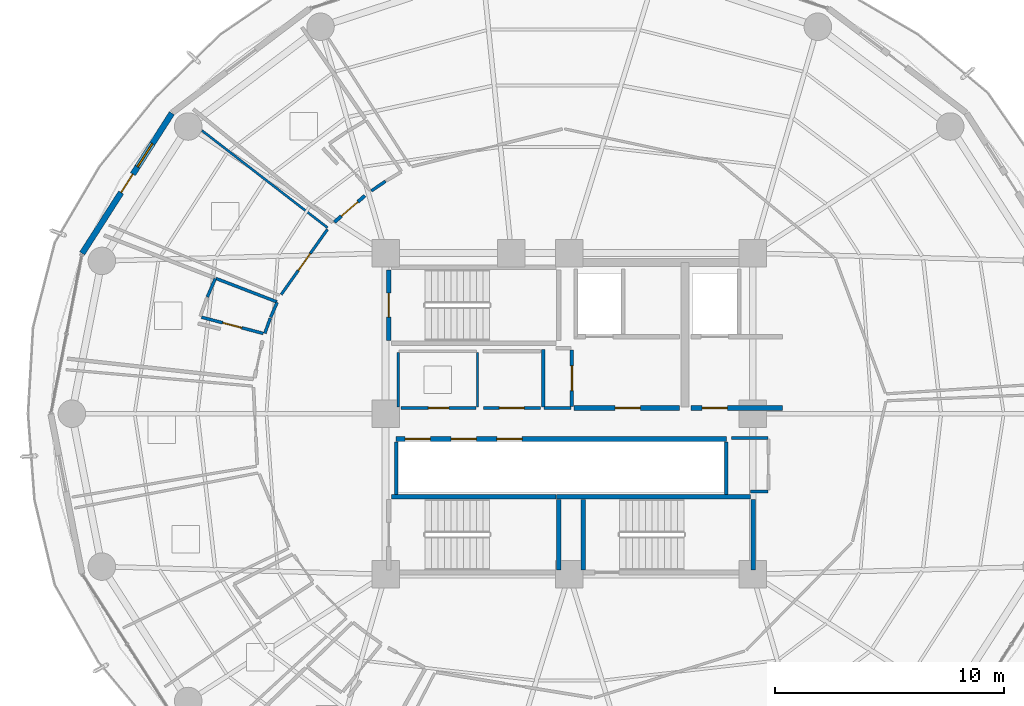
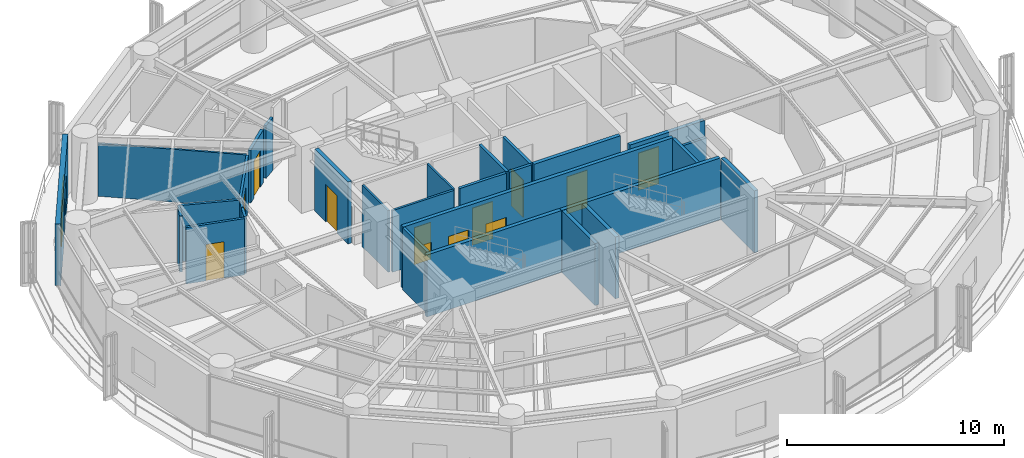
# One storey, part 22 of 27: 30 walls, 13 doors, 1 window, 14 openings.
"""IFC4 building model written with IfcOpenShell, lengths in metres."""

from ifc_helpers import new_model, si_unit, direction, frame, frame_2d, origin, place, context, subcontext, project, spatial, rectangle, extrude, material, layer, layer_set, type_object, element, fill, save


model = new_model("IFC4")

# Units and contexts
model_context = context("Model", 3, precision=1e-05, world=origin(), true_north=direction((0.0, 1.0)))
body_context = subcontext(model_context, "Body", "Model", "MODEL_VIEW")
ifc_project = project(units=[si_unit("LENGTHUNIT", "METRE"), si_unit("AREAUNIT", "SQUARE_METRE"), si_unit("VOLUMEUNIT", "CUBIC_METRE"), si_unit("PLANEANGLEUNIT", "RADIAN"), si_unit("MASSUNIT", "GRAM", prefix="KILO")], contexts=[model_context])

# Site, building, storey
site_placement = place(None, origin())
site = spatial("IfcSite", under=ifc_project, at=site_placement, CompositionType="ELEMENT")
building_placement = place(site_placement, origin())
building = spatial("IfcBuilding", under=site, at=building_placement, Name="Kelanora Arch Commons", CompositionType="ELEMENT")
storey_placement = place(building_placement, frame((0.0, 0.0, 165.60009765625)))
storey = spatial("IfcBuildingStorey", under=building, at=storey_placement, Name="L42", CompositionType="ELEMENT", Elevation=165.60009765625)

# Walls
ifc_material_1 = material(Name="Autoclaved aerated concrete blockwork with fire plaster", Category="masonry")
ifc_layer_1 = layer(ifc_material_1, 0.14990234375)
ifc_layer_set_1 = layer_set([ifc_layer_1], Name="Autoclaved aerated concrete blockwork with fire plaster")
wall_type_1 = type_object("IfcWallType", Name="W-COMP-150", PredefinedType="PARTITIONING", material=ifc_layer_set_1)
for number, where, z_axis, x_axis, name in (
    (1, (66.4599609375, 54.47998046875, 0.0), (0.0, 0.0, 1.0), (0.0, 1.0, 0.0), "South Lift Bank West Wall L42"),
    (2, (80.840087890625, 54.47998046875, 0.0), (0.0, 0.0, 1.0), (0.0, 1.0, 0.0), "South Lift Bank East Wall L42"),
):
    element("IfcWall", number, at=place(storey_placement, frame(where, z_axis=z_axis, x_axis=x_axis)), inside=storey, type_object=wall_type_1, Name=name, PredefinedType="PARTITIONING", context=body_context, shape_type="SweptSolid", body=[
        extrude(rectangle(XDim=2.2900390625, YDim=0.14990234375, at=frame_2d((1.14501953125, 0.0))), origin(), (0.0, 0.0, 1.0), 3.47998046875),
    ])

# Wall, opening, door
wall_1_placement = place(storey_placement, frame((74.1201171875, 58.31005859375, 0.0), z_axis=(0.0, 0.0, 1.0), x_axis=(0.0, 1.0, 0.0)))
wall_1 = element("IfcWall", 3, at=wall_1_placement, inside=storey, type_object=wall_type_1, Name="Core Linen Supply Store L42 Entry Partition", PredefinedType="PARTITIONING", context=body_context, shape_type="SweptSolid", body=[
    extrude(rectangle(XDim=2.47998046875, YDim=0.14990234375, at=frame_2d((1.239990234375, 0.0))), origin(), (0.0, 0.0, 1.0), 3.47998046875),
])
opening_1_placement = place(wall_1_placement, frame((0.699951171875, 0.0, 0.0)))
opening_1 = element("IfcOpeningElement", 4, at=opening_1_placement, cuts=wall_1, Name="Opening D-PLT1", PredefinedType="OPENING", context=body_context, shape_type="SweptSolid", body=[
    extrude(rectangle(XDim=1.080078125, YDim=2.10009765625, at=frame_2d((0.5400390625, 1.050048828125))), frame((0.0, 0.0849609375, 0.0), z_axis=(0.0, -1.0, 0.0), x_axis=(1.0, 0.0, 0.0)), (0.0, 0.0, 1.0), 0.169921875),
])
ifc_material_2 = material(Name="Galvanised steel plant and riser fire door", Category="steel")
door_type_1 = type_object("IfcDoorType", Name="D-PLT-110", OperationType="NOTDEFINED", PredefinedType="DOOR", material=ifc_material_2)
door_1_placement = place(opening_1_placement, origin())
door_1 = element("IfcDoor", 5, at=door_1_placement, inside=storey, type_object=door_type_1, Name="Core Linen Supply Store L42 Door", OperationType="SINGLE_SWING_RIGHT", OverallHeight=2.10009765625, OverallWidth=1.080078125, PredefinedType="DOOR", context=body_context, shape_type="SweptSolid", body=[
    extrude(rectangle(XDim=1.080078125, YDim=2.10009765625, at=frame_2d((0.5400390625, 1.050048828125))), frame((0.0, 0.02490234375, 0.0), z_axis=(0.0, -1.0, 0.0), x_axis=(1.0, 0.0, 0.0)), (0.0, 0.0, 1.0), 0.050048828125),
])
fill(opening_1, door_1)

wall_2_placement = place(storey_placement, frame((70.260009765625, 58.25, 0.0), z_axis=(0.0, 0.0, 1.0), x_axis=(1.0, 0.0, 0.0)))
wall_2 = element("IfcWall", 6, at=wall_2_placement, inside=storey, type_object=wall_type_1, Name="Reclaimed Core Linen Store L42 Entry Partition", PredefinedType="PARTITIONING", context=body_context, shape_type="SweptSolid", body=[
    extrude(rectangle(XDim=2.47998046875, YDim=0.14990234375, at=frame_2d((1.239990234375, 0.0))), origin(), (0.0, 0.0, 1.0), 3.47998046875),
])
opening_2_placement = place(wall_2_placement, frame((0.699951171875, 0.0, 0.0)))
opening_2 = element("IfcOpeningElement", 7, at=opening_2_placement, cuts=wall_2, Name="Opening D-PLT1", PredefinedType="OPENING", context=body_context, shape_type="SweptSolid", body=[
    extrude(rectangle(XDim=1.080078125, YDim=2.10009765625, at=frame_2d((0.5400390625, 1.050048828125))), frame((0.0, 0.0849609375, 0.0), z_axis=(0.0, -1.0, 0.0), x_axis=(1.0, 0.0, 0.0)), (0.0, 0.0, 1.0), 0.169921875),
])
door_2_placement = place(opening_2_placement, origin())
door_2 = element("IfcDoor", 8, at=door_2_placement, inside=storey, type_object=door_type_1, Name="Reclaimed Core Linen Store L42 Door", OperationType="SINGLE_SWING_LEFT", OverallHeight=2.10009765625, OverallWidth=1.080078125, PredefinedType="DOOR", context=body_context, shape_type="SweptSolid", body=[
    extrude(rectangle(XDim=1.080078125, YDim=2.10009765625, at=frame_2d((0.5400390625, 1.050048828125))), frame((0.0, 0.02490234375, 0.0), z_axis=(0.0, -1.0, 0.0), x_axis=(1.0, 0.0, 0.0)), (0.0, 0.0, 1.0), 0.050048828125),
])
fill(opening_2, door_2)

wall_3_placement = place(storey_placement, frame((65.094482421875, 67.504638671875, 0.0), z_axis=(0.0, 0.0, 1.0), x_axis=(-0.756110527693, -0.654443939472, 0.0)))
wall_3 = element("IfcWall", 9, at=wall_3_placement, inside=storey, type_object=wall_type_1, Name="Cluster Bedroom L42-01 Entry Partition", PredefinedType="PARTITIONING", context=body_context, shape_type="SweptSolid", body=[
    extrude(rectangle(XDim=1.7578125, YDim=0.14990234375, at=frame_2d((0.87890625, 0.0))), origin(), (0.0, 0.0, 1.0), 2.974853515625),
])
opening_3_placement = place(wall_3_placement, frame((0.404052734375, 0.0, 0.0)))
opening_3 = element("IfcOpeningElement", 10, at=opening_3_placement, cuts=wall_3, Name="Opening D-CLU1", PredefinedType="OPENING", context=body_context, shape_type="SweptSolid", body=[
    extrude(rectangle(XDim=0.949951171875, YDim=2.080078125, at=frame_2d((0.47509765625, 1.0400390625))), frame((0.0, 0.0849609375, 0.0), z_axis=(0.0, -1.0, 0.0), x_axis=(1.0, 0.0, 0.0)), (0.0, 0.0, 1.0), 0.169921875),
])
ifc_material_3 = material(Name="Solid-core acoustic timber cluster entry fire door", Category="wood")
door_type_2 = type_object("IfcDoorType", Name="D-CLU-95", OperationType="NOTDEFINED", PredefinedType="DOOR", material=ifc_material_3)
door_3_placement = place(opening_3_placement, origin())
door_3 = element("IfcDoor", 11, at=door_3_placement, inside=storey, type_object=door_type_2, Name="Cluster Bedroom L42-01 Door", OperationType="SINGLE_SWING_LEFT", OverallHeight=2.080078125, OverallWidth=0.949951171875, PredefinedType="DOOR", context=body_context, shape_type="SweptSolid", body=[
    extrude(rectangle(XDim=0.949951171875, YDim=2.080078125, at=frame_2d((0.47509765625, 1.0400390625))), frame((0.0, 0.02490234375, 0.0), z_axis=(0.0, -1.0, 0.0), x_axis=(1.0, 0.0, 0.0)), (0.0, 0.0, 1.0), 0.050048828125),
])
fill(opening_3, door_3)

# Walls
wall_4_placement = place(storey_placement, frame((72.89990234375, 58.25, 0.0), z_axis=(0.0, 0.0, 1.0), x_axis=(1.0, 0.0, 0.0)))
element("IfcWall", 12, at=wall_4_placement, inside=storey, type_object=wall_type_1, Name="Core Linen Supply Store L42 Enclosure Partition 1", PredefinedType="PARTITIONING", context=body_context, shape_type="SweptSolid", body=[
    extrude(rectangle(XDim=1.18017578125, YDim=0.14990234375, at=frame_2d((0.590087890625, 0.0))), origin(), (0.0, 0.0, 1.0), 3.47998046875),
])
wall_5_placement = place(storey_placement, frame((72.860107421875, 60.81005859375, 0.0), z_axis=(0.0, 0.0, 1.0), x_axis=(0.0, -1.0, 0.0)))
element("IfcWall", 13, at=wall_5_placement, inside=storey, type_object=wall_type_1, Name="Core Linen Supply Store L42 Enclosure Partition 4", PredefinedType="PARTITIONING", context=body_context, shape_type="SweptSolid", body=[
    extrude(rectangle(XDim=2.52001953125, YDim=0.14990234375, at=frame_2d((1.260009765625, 0.0))), origin(), (0.0, 0.0, 1.0), 3.47998046875),
])

# Wall, openings, door, window
ifc_material_4 = material(Name="Precast concrete C40/50 with terracotta rainscreen", Category="masonry")
ifc_layer_2 = layer(ifc_material_4, 0.260009765625)
ifc_layer_set_2 = layer_set([ifc_layer_2], Name="Precast concrete C40/50 with terracotta rainscreen")
wall_type_2 = type_object("IfcWallType", Name="W-EXT-TC", PredefinedType="SOLIDWALL", material=ifc_layer_set_2)
wall_6_placement = place(storey_placement, frame((56.67919921875, 71.100341796875, 0.0), z_axis=(0.0, 0.0, 1.0), x_axis=(-0.538801521808, -0.842432739213, 0.0)))
wall_6 = element("IfcWall", 14, at=wall_6_placement, inside=storey, type_object=wall_type_2, Name="Terracotta Exterior Wall L42-B07", PredefinedType="SOLIDWALL", context=body_context, shape_type="SweptSolid", body=[
    extrude(rectangle(XDim=7.25341796875, YDim=0.260009765625, at=frame_2d((3.626708984375, 0.0))), origin(), (0.0, 0.0, 1.0), 3.474853515625),
])
opening_4_placement = place(wall_6_placement, frame((3.152099609375, 0.0, 0.0)))
opening_4 = element("IfcOpeningElement", 15, at=opening_4_placement, cuts=wall_6, Name="Opening DB-01", PredefinedType="OPENING", context=body_context, shape_type="SweptSolid", body=[
    extrude(rectangle(XDim=0.949951171875, YDim=2.10009765625, at=frame_2d((0.47509765625, 1.050048828125))), frame((0.0, 0.14013671875, 0.0), z_axis=(0.0, -1.0, 0.0), x_axis=(1.0, 0.0, 0.0)), (0.0, 0.0, 1.0), 0.280029296875),
])
opening_5_placement = place(wall_6_placement, frame((1.572021484375, 0.0, 0.85009765625)))
opening_5 = element("IfcOpeningElement", 16, at=opening_5_placement, cuts=wall_6, Name="Opening WN-02", PredefinedType="OPENING", context=body_context, shape_type="SweptSolid", body=[
    extrude(rectangle(XDim=1.199951171875, YDim=1.449951171875, at=frame_2d((0.60009765625, 0.72509765625))), frame((0.0, 0.14013671875, 0.0), z_axis=(0.0, -1.0, 0.0), x_axis=(1.0, 0.0, 0.0)), (0.0, 0.0, 1.0), 0.280029296875),
])
ifc_material_5 = material(Name="Terracotta-aluminium thermally broken glazed balcony door", Category="masonry")
door_type_3 = type_object("IfcDoorType", Name="D-BAL-10", OperationType="NOTDEFINED", PredefinedType="DOOR", material=ifc_material_5)
door_4_placement = place(opening_4_placement, frame((0.949951171875, 0.0, 0.0), z_axis=(0.0, 0.0, 1.0), x_axis=(-1.0, 0.0, 0.0)))
door_4 = element("IfcDoor", 17, at=door_4_placement, inside=storey, type_object=door_type_3, Name="Wave Balcony Door L42-B07", OperationType="SINGLE_SWING_RIGHT", OverallHeight=2.10009765625, OverallWidth=0.949951171875, PredefinedType="DOOR", context=body_context, shape_type="SweptSolid", body=[
    extrude(rectangle(XDim=0.949951171875, YDim=2.10009765625, at=frame_2d((0.47509765625, 1.050048828125))), frame((0.0, 0.02490234375, 0.0), z_axis=(0.0, -1.0, 0.0), x_axis=(1.0, 0.0, 0.0)), (0.0, 0.0, 1.0), 0.050048828125),
])
fill(opening_4, door_4)
ifc_material_6 = material(Name="Terracotta-anodised aluminium frame with operable awning sash", Category="masonry")
window_type = type_object("IfcWindowType", Name="WIN-CL-12", PartitioningType="SINGLE_PANEL", PredefinedType="WINDOW", material=ifc_material_6)
window_placement = place(opening_5_placement, origin())
window = element("IfcWindow", 18, at=window_placement, inside=storey, type_object=window_type, Name="Co-Living Operable Window L42-B07", OverallHeight=1.449951171875, OverallWidth=1.199951171875, PartitioningType="SINGLE_PANEL", PredefinedType="WINDOW", context=body_context, shape_type="SweptSolid", body=[
    extrude(rectangle(XDim=1.199951171875, YDim=1.449951171875, at=frame_2d((0.60009765625, 0.72509765625))), frame((0.0, 0.030029296875, 0.0), z_axis=(0.0, -1.0, 0.0), x_axis=(1.0, 0.0, 0.0)), (0.0, 0.0, 1.0), 0.06005859375),
])
fill(opening_5, window)

# Wall, opening, door
ifc_material_7 = material(Name="Concrete C40/50", Category="concrete")
ifc_layer_3 = layer(ifc_material_7, 0.199951171875)
ifc_layer_set_3 = layer_set([ifc_layer_3], Name="Concrete C40/50")
wall_type_3 = type_object("IfcWallType", Name="W-FFL-200", PredefinedType="SOLIDWALL", material=ifc_layer_set_3)
wall_7_placement = place(storey_placement, frame((74.199951171875, 58.25, 0.0), z_axis=(0.0, 0.0, 1.0), x_axis=(1.0, 0.0, 0.0)))
wall_7 = element("IfcWall", 19, at=wall_7_placement, inside=storey, type_object=wall_type_3, Name="Firefighting Lobby 1 Enclosure Wall L42", PredefinedType="SOLIDWALL", context=body_context, shape_type="SweptSolid", body=[
    extrude(rectangle(XDim=4.60009765625, YDim=0.199951171875, at=frame_2d((2.300048828125, 0.0))), origin(), (0.0, 0.0, 1.0), 3.47998046875),
])
opening_6_placement = place(wall_7_placement, frame((1.800048828125, 0.0, 0.0)))
opening_6 = element("IfcOpeningElement", 20, at=opening_6_placement, cuts=wall_7, Name="Opening D-FFL1", PredefinedType="OPENING", context=body_context, shape_type="SweptSolid", body=[
    extrude(rectangle(XDim=1.10009765625, YDim=2.10009765625, at=frame_2d((0.550048828125, 1.050048828125))), frame((0.0, 0.10986328125, 0.0), z_axis=(0.0, -1.0, 0.0), x_axis=(1.0, 0.0, 0.0)), (0.0, 0.0, 1.0), 0.219970703125),
])
ifc_material_8 = material(Name="Smoke-sealed firefighting lobby fire door")
door_type_4 = type_object("IfcDoorType", Name="D-FFL-110", OperationType="NOTDEFINED", PredefinedType="DOOR", material=ifc_material_8)
door_5_placement = place(opening_6_placement, frame((1.10009765625, 0.0, 0.0), z_axis=(0.0, 0.0, 1.0), x_axis=(-1.0, 0.0, 0.0)))
door_5 = element("IfcDoor", 21, at=door_5_placement, inside=storey, type_object=door_type_4, Name="Firefighting Lobby 1 Door L42", OperationType="SINGLE_SWING_LEFT", OverallHeight=2.10009765625, OverallWidth=1.10009765625, PredefinedType="DOOR", context=body_context, shape_type="SweptSolid", body=[
    extrude(rectangle(XDim=1.10009765625, YDim=2.10009765625, at=frame_2d((0.550048828125, 1.050048828125))), frame((0.0, 0.02490234375, 0.0), z_axis=(0.0, -1.0, 0.0), x_axis=(1.0, 0.0, 0.0)), (0.0, 0.0, 1.0), 0.050048828125),
])
fill(opening_6, door_5)

wall_8_placement = place(storey_placement, frame((79.300048828125, 58.25, 0.0), z_axis=(0.0, 0.0, 1.0), x_axis=(1.0, 0.0, 0.0)))
wall_8 = element("IfcWall", 22, at=wall_8_placement, inside=storey, type_object=wall_type_3, Name="Firefighting Lobby 2 Enclosure Wall L42", PredefinedType="SOLIDWALL", context=body_context, shape_type="SweptSolid", body=[
    extrude(rectangle(XDim=4.0, YDim=0.199951171875, at=frame_2d((2.0, 0.0))), origin(), (0.0, 0.0, 1.0), 2.77490234375),
])
opening_7_placement = place(wall_8_placement, frame((0.5, 0.0, 0.0)))
opening_7 = element("IfcOpeningElement", 23, at=opening_7_placement, cuts=wall_8, Name="Opening D-FFL1", PredefinedType="OPENING", context=body_context, shape_type="SweptSolid", body=[
    extrude(rectangle(XDim=1.10009765625, YDim=2.10009765625, at=frame_2d((0.550048828125, 1.050048828125))), frame((0.0, 0.10986328125, 0.0), z_axis=(0.0, -1.0, 0.0), x_axis=(1.0, 0.0, 0.0)), (0.0, 0.0, 1.0), 0.219970703125),
])
door_6_placement = place(opening_7_placement, frame((1.10009765625, 0.0, 0.0), z_axis=(0.0, 0.0, 1.0), x_axis=(-1.0, 0.0, 0.0)))
door_6 = element("IfcDoor", 24, at=door_6_placement, inside=storey, type_object=door_type_4, Name="Firefighting Lobby 2 Door L42", OperationType="SINGLE_SWING_RIGHT", OverallHeight=2.10009765625, OverallWidth=1.10009765625, PredefinedType="DOOR", context=body_context, shape_type="SweptSolid", body=[
    extrude(rectangle(XDim=1.10009765625, YDim=2.10009765625, at=frame_2d((0.550048828125, 1.050048828125))), frame((0.0, 0.02490234375, 0.0), z_axis=(0.0, -1.0, 0.0), x_axis=(1.0, 0.0, 0.0)), (0.0, 0.0, 1.0), 0.050048828125),
])
fill(opening_7, door_6)

# Wall, openings, doors
wall_9_placement = place(storey_placement, frame((66.449951171875, 56.89990234375, 0.0), z_axis=(0.0, 0.0, 1.0), x_axis=(1.0, 0.0, 0.0)))
wall_9 = element("IfcWall", 25, at=wall_9_placement, inside=storey, type_object=wall_type_3, Name="Mid/High/Express Lift Shaft Front L42", PredefinedType="SOLIDWALL", context=body_context, shape_type="SweptSolid", body=[
    extrude(rectangle(XDim=14.400146484375, YDim=0.199951171875, at=frame_2d((7.2001953125, 0.0))), origin(), (0.0, 0.0, 1.0), 3.47998046875),
])
opening_8_placement = place(wall_9_placement, frame((0.39990234375, 0.0, 0.0)))
opening_8 = element("IfcOpeningElement", 26, at=opening_8_placement, cuts=wall_9, Name="Opening LD-01", PredefinedType="OPENING", context=body_context, shape_type="SweptSolid", body=[
    extrude(rectangle(XDim=1.10009765625, YDim=2.10009765625, at=frame_2d((0.550048828125, 1.050048828125))), frame((0.0, 0.10986328125, 0.0), z_axis=(0.0, -1.0, 0.0), x_axis=(1.0, 0.0, 0.0)), (0.0, 0.0, 1.0), 0.219970703125),
])
opening_9_placement = place(wall_9_placement, frame((2.39990234375, 0.0, 0.0)))
opening_9 = element("IfcOpeningElement", 27, at=opening_9_placement, cuts=wall_9, Name="Opening LD-01", PredefinedType="OPENING", context=body_context, shape_type="SweptSolid", body=[
    extrude(rectangle(XDim=1.10009765625, YDim=2.10009765625, at=frame_2d((0.550048828125, 1.050048828125))), frame((0.0, 0.10986328125, 0.0), z_axis=(0.0, -1.0, 0.0), x_axis=(1.0, 0.0, 0.0)), (0.0, 0.0, 1.0), 0.219970703125),
])
opening_10_placement = place(wall_9_placement, frame((4.39990234375, 0.0, 0.0)))
opening_10 = element("IfcOpeningElement", 28, at=opening_10_placement, cuts=wall_9, Name="Opening LD-01", PredefinedType="OPENING", context=body_context, shape_type="SweptSolid", body=[
    extrude(rectangle(XDim=1.10009765625, YDim=2.10009765625, at=frame_2d((0.550048828125, 1.050048828125))), frame((0.0, 0.10986328125, 0.0), z_axis=(0.0, -1.0, 0.0), x_axis=(1.0, 0.0, 0.0)), (0.0, 0.0, 1.0), 0.219970703125),
])
ifc_material_9 = material(Name="Stainless steel passenger lift sliding landing door", Category="steel")
door_type_5 = type_object("IfcDoorType", Name="D-LIFT-110", OperationType="NOTDEFINED", PredefinedType="DOOR", material=ifc_material_9)
door_7_placement = place(opening_8_placement, origin())
door_7 = element("IfcDoor", 29, at=door_7_placement, inside=storey, type_object=door_type_5, Name="Passenger Lift LF-P4 Landing Door L42", OperationType="DOUBLE_DOOR_SLIDING", OverallHeight=2.10009765625, OverallWidth=1.10009765625, PredefinedType="DOOR", context=body_context, shape_type="SweptSolid", body=[
    extrude(rectangle(XDim=1.10009765625, YDim=2.10009765625, at=frame_2d((0.550048828125, 1.050048828125))), frame((0.0, 0.02490234375, 0.0), z_axis=(0.0, -1.0, 0.0), x_axis=(1.0, 0.0, 0.0)), (0.0, 0.0, 1.0), 0.050048828125),
])
fill(opening_8, door_7)
door_8_placement = place(opening_9_placement, origin())
door_8 = element("IfcDoor", 30, at=door_8_placement, inside=storey, type_object=door_type_5, Name="Passenger Lift LF-P5 Landing Door L42", OperationType="DOUBLE_DOOR_SLIDING", OverallHeight=2.10009765625, OverallWidth=1.10009765625, PredefinedType="DOOR", context=body_context, shape_type="SweptSolid", body=[
    extrude(rectangle(XDim=1.10009765625, YDim=2.10009765625, at=frame_2d((0.550048828125, 1.050048828125))), frame((0.0, 0.02490234375, 0.0), z_axis=(0.0, -1.0, 0.0), x_axis=(1.0, 0.0, 0.0)), (0.0, 0.0, 1.0), 0.050048828125),
])
fill(opening_9, door_8)
door_9_placement = place(opening_10_placement, origin())
door_9 = element("IfcDoor", 31, at=door_9_placement, inside=storey, type_object=door_type_5, Name="Passenger Lift LF-P6 Landing Door L42", OperationType="DOUBLE_DOOR_SLIDING", OverallHeight=2.10009765625, OverallWidth=1.10009765625, PredefinedType="DOOR", context=body_context, shape_type="SweptSolid", body=[
    extrude(rectangle(XDim=1.10009765625, YDim=2.10009765625, at=frame_2d((0.550048828125, 1.050048828125))), frame((0.0, 0.02490234375, 0.0), z_axis=(0.0, -1.0, 0.0), x_axis=(1.0, 0.0, 0.0)), (0.0, 0.0, 1.0), 0.050048828125),
])
fill(opening_10, door_9)

# Walls
ifc_material_10 = material(Name="Lightweight fire-rated acoustic stud partition")
ifc_layer_4 = layer(ifc_material_10, 0.10009765625)
ifc_layer_set_4 = layer_set([ifc_layer_4], Name="Lightweight fire-rated acoustic stud partition")
wall_type_4 = type_object("IfcWallType", Name="W-PART-100", PredefinedType="PARTITIONING", material=ifc_layer_set_4)
wall_10_placement = place(storey_placement, frame((70.0, 58.2900390625, 0.0), z_axis=(0.0, 0.0, 1.0), x_axis=(0.0, 1.0, 0.0)))
element("IfcWall", 32, at=wall_10_placement, inside=storey, type_object=wall_type_4, Name="Reclaimed Core Quiet Phone Booths L42 Enclosure Partition 2", PredefinedType="PARTITIONING", context=body_context, shape_type="SweptSolid", body=[
    extrude(rectangle(XDim=2.389892578125, YDim=0.10009765625, at=frame_2d((1.19482421875, 0.0))), origin(), (0.0, 0.0, 1.0), 3.47998046875),
])
wall_11_placement = place(storey_placement, frame((66.550048828125, 60.679931640625, 0.0), z_axis=(0.0, 0.0, 1.0), x_axis=(0.0, -1.0, 0.0)))
element("IfcWall", 33, at=wall_11_placement, inside=storey, type_object=wall_type_4, Name="Reclaimed Core Quiet Phone Booths L42 Enclosure Partition 4", PredefinedType="PARTITIONING", context=body_context, shape_type="SweptSolid", body=[
    extrude(rectangle(XDim=2.383056640625, YDim=0.10009765625, at=frame_2d((1.19140625, 0.0))), origin(), (0.0, 0.0, 1.0), 3.47998046875),
])
wall_12_placement = place(storey_placement, frame((57.991943359375, 70.345947265625, 0.0), z_axis=(0.0, 0.0, 1.0), x_axis=(0.790939607083, -0.611894221207, 0.0)))
element("IfcWall", 34, at=wall_12_placement, inside=storey, type_object=wall_type_4, Name="Shared Cluster Kitchen L42-02 Enclosure Partition 4", PredefinedType="PARTITIONING", context=body_context, shape_type="SweptSolid", body=[
    extrude(rectangle(XDim=6.920166015625, YDim=0.10009765625, at=frame_2d((3.4599609375, 0.0))), origin(), (0.0, 0.0, 1.0), 2.974853515625),
])

# Wall, opening, door
ifc_material_11 = material(Name="Acoustic twin-stud fire-rated gypsum partition")
ifc_layer_5 = layer(ifc_material_11, 0.1201171875)
ifc_layer_set_5 = layer_set([ifc_layer_5], Name="Acoustic twin-stud fire-rated gypsum partition")
wall_type_5 = type_object("IfcWallType", Name="W-PART-120", PredefinedType="PARTITIONING", material=ifc_layer_set_5)
wall_13_placement = place(storey_placement, frame((66.67529296875, 58.25, 0.0), z_axis=(0.0, 0.0, 1.0), x_axis=(1.0, 0.0, 0.0)))
wall_13 = element("IfcWall", 35, at=wall_13_placement, inside=storey, type_object=wall_type_5, Name="Reclaimed Core Quiet Phone Booths L42 Entry Partition", PredefinedType="PARTITIONING", context=body_context, shape_type="SweptSolid", body=[
    extrude(rectangle(XDim=3.2646484375, YDim=0.1201171875, at=frame_2d((1.63232421875, 0.0))), origin(), (0.0, 0.0, 1.0), 3.47998046875),
])
opening_11_placement = place(wall_13_placement, frame((1.181884765625, 0.0, 0.0)))
opening_11 = element("IfcOpeningElement", 36, at=opening_11_placement, cuts=wall_13, Name="Opening D-RM1", PredefinedType="OPENING", context=body_context, shape_type="SweptSolid", body=[
    extrude(rectangle(XDim=0.89990234375, YDim=2.080078125, at=frame_2d((0.449951171875, 1.0400390625))), frame((0.0, 0.070068359375, 0.0), z_axis=(0.0, -1.0, 0.0), x_axis=(1.0, 0.0, 0.0)), (0.0, 0.0, 1.0), 0.14013671875),
])
ifc_material_12 = material(Name="Acoustic fire-rated timber study and lounge door", Category="wood")
door_type_6 = type_object("IfcDoorType", Name="D-ROOM-90", OperationType="NOTDEFINED", PredefinedType="DOOR", material=ifc_material_12)
door_10_placement = place(opening_11_placement, origin())
door_10 = element("IfcDoor", 37, at=door_10_placement, inside=storey, type_object=door_type_6, Name="Reclaimed Core Quiet Phone Booths L42 Door", OperationType="SINGLE_SWING_RIGHT", OverallHeight=2.080078125, OverallWidth=0.89990234375, PredefinedType="DOOR", context=body_context, shape_type="SweptSolid", body=[
    extrude(rectangle(XDim=0.89990234375, YDim=2.080078125, at=frame_2d((0.449951171875, 1.0400390625))), frame((0.0, 0.02490234375, 0.0), z_axis=(0.0, -1.0, 0.0), x_axis=(1.0, 0.0, 0.0)), (0.0, 0.0, 1.0), 0.050048828125),
])
fill(opening_11, door_10)

wall_14_placement = place(storey_placement, frame((63.46240234375, 66.0380859375, 0.0), z_axis=(0.0, 0.0, 1.0), x_axis=(-0.578762045024, -0.815496471629, 0.0)))
wall_14 = element("IfcWall", 38, at=wall_14_placement, inside=storey, type_object=wall_type_5, Name="Shared Cluster Kitchen L42-02 Entry Partition", PredefinedType="PARTITIONING", context=body_context, shape_type="SweptSolid", body=[
    extrude(rectangle(XDim=3.482666015625, YDim=0.1201171875, at=frame_2d((1.7412109375, 0.0))), origin(), (0.0, 0.0, 1.0), 2.974853515625),
])
opening_12_placement = place(wall_14_placement, frame((1.291015625, 0.0, 0.0)))
opening_12 = element("IfcOpeningElement", 39, at=opening_12_placement, cuts=wall_14, Name="Opening D-RM1", PredefinedType="OPENING", context=body_context, shape_type="SweptSolid", body=[
    extrude(rectangle(XDim=0.89990234375, YDim=2.080078125, at=frame_2d((0.449951171875, 1.0400390625))), frame((0.0, 0.070068359375, 0.0), z_axis=(0.0, -1.0, 0.0), x_axis=(1.0, 0.0, 0.0)), (0.0, 0.0, 1.0), 0.14013671875),
])
door_11_placement = place(opening_12_placement, origin())
door_11 = element("IfcDoor", 40, at=door_11_placement, inside=storey, type_object=door_type_6, Name="Shared Cluster Kitchen L42-02 Door", OperationType="SINGLE_SWING_RIGHT", OverallHeight=2.080078125, OverallWidth=0.89990234375, PredefinedType="DOOR", context=body_context, shape_type="SweptSolid", body=[
    extrude(rectangle(XDim=0.89990234375, YDim=2.080078125, at=frame_2d((0.449951171875, 1.0400390625))), frame((0.0, 0.02490234375, 0.0), z_axis=(0.0, -1.0, 0.0), x_axis=(1.0, 0.0, 0.0)), (0.0, 0.0, 1.0), 0.050048828125),
])
fill(opening_12, door_11)

ifc_layer_6 = layer(ifc_material_7, 0.199951171875)
ifc_layer_set_6 = layer_set([ifc_layer_6], Name="Concrete C40/50")
wall_type_6 = type_object("IfcWallType", Name="W-STAIR-200", PredefinedType="SHEAR", material=ifc_layer_set_6)
wall_15_placement = place(storey_placement, frame((66.139892578125, 64.27001953125, 0.0), z_axis=(0.0, 0.0, 1.0), x_axis=(0.0, -1.0, 0.0)))
wall_15 = element("IfcWall", 41, at=wall_15_placement, inside=storey, type_object=wall_type_6, Name="Stair ST-T1 Shaft Wall W L42", PredefinedType="SHEAR", context=body_context, shape_type="SweptSolid", body=[
    extrude(rectangle(XDim=3.070068359375, YDim=0.199951171875, at=frame_2d((1.53515625, 0.0))), origin(), (0.0, 0.0, 1.0), 3.489990234375),
])
opening_13_placement = place(wall_15_placement, frame((1.010009765625, 0.0, 0.0)))
opening_13 = element("IfcOpeningElement", 42, at=opening_13_placement, cuts=wall_15, Name="Opening D-ST1", PredefinedType="OPENING", context=body_context, shape_type="SweptSolid", body=[
    extrude(rectangle(XDim=1.050048828125, YDim=2.10009765625, at=frame_2d((0.52490234375, 1.050048828125))), frame((0.0, 0.10986328125, 0.0), z_axis=(0.0, -1.0, 0.0), x_axis=(1.0, 0.0, 0.0)), (0.0, 0.0, 1.0), 0.219970703125),
])
ifc_material_13 = material(Name="Steel fire-rated stairwell escape door", Category="steel")
door_type_7 = type_object("IfcDoorType", Name="D-STAIR-110", OperationType="NOTDEFINED", PredefinedType="DOOR", material=ifc_material_13)
door_12_placement = place(opening_13_placement, origin())
door_12 = element("IfcDoor", 43, at=door_12_placement, inside=storey, type_object=door_type_7, Name="Stair ST-T1 Escape Door L42", OperationType="SINGLE_SWING_LEFT", OverallHeight=2.10009765625, OverallWidth=1.050048828125, PredefinedType="DOOR", context=body_context, shape_type="SweptSolid", body=[
    extrude(rectangle(XDim=1.050048828125, YDim=2.10009765625, at=frame_2d((0.52490234375, 1.050048828125))), frame((0.0, 0.02490234375, 0.0), z_axis=(0.0, -1.0, 0.0), x_axis=(1.0, 0.0, 0.0)), (0.0, 0.0, 1.0), 0.050048828125),
])
fill(opening_13, door_12)

# Walls
wall_16_placement = place(storey_placement, frame((82.02001953125, 51.199951171875, 0.0), z_axis=(0.0, 0.0, 1.0), x_axis=(0.0, 1.0, 0.0)))
element("IfcWall", 44, at=wall_16_placement, inside=storey, type_object=wall_type_6, Name="Stair ST-T2 Shaft Wall E L42", PredefinedType="SHEAR", context=body_context, shape_type="SweptSolid", body=[
    extrude(rectangle(XDim=3.070068359375, YDim=0.199951171875, at=frame_2d((1.53515625, 0.0))), origin(), (0.0, 0.0, 1.0), 3.489990234375),
])
wall_17_placement = place(storey_placement, frame((81.89990234375, 54.389892578125, 0.0), z_axis=(0.0, 0.0, 1.0), x_axis=(-1.0, 0.0, 0.0)))
element("IfcWall", 45, at=wall_17_placement, inside=storey, type_object=wall_type_6, Name="Stair ST-T2 Shaft Wall N L42", PredefinedType="SHEAR", context=body_context, shape_type="SweptSolid", body=[
    extrude(rectangle(XDim=8.4599609375, YDim=0.199951171875, at=frame_2d((4.22998046875, 0.0))), origin(), (0.0, 0.0, 1.0), 3.489990234375),
])
for number, where, z_axis, x_axis, name in (
    (46, (74.6201171875, 54.27001953125, 0.0), (0.0, 0.0, 1.0), (0.0, -1.0, 0.0), "Stair ST-T2 Shaft Wall W L42"),
    (47, (73.5400390625, 51.199951171875, 0.0), (0.0, 0.0, 1.0), (0.0, 1.0, 0.0), "Stair ST-T3 Shaft Wall E L42"),
):
    element("IfcWall", number, at=place(storey_placement, frame(where, z_axis=z_axis, x_axis=x_axis)), inside=storey, type_object=wall_type_6, Name=name, PredefinedType="SHEAR", context=body_context, shape_type="SweptSolid", body=[
        extrude(rectangle(XDim=3.070068359375, YDim=0.199951171875, at=frame_2d((1.53515625, 0.0))), origin(), (0.0, 0.0, 1.0), 3.489990234375),
    ])
wall_18_placement = place(storey_placement, frame((73.419921875, 54.389892578125, 0.0), z_axis=(0.0, 0.0, 1.0), x_axis=(-1.0, 0.0, 0.0)))
element("IfcWall", 48, at=wall_18_placement, inside=storey, type_object=wall_type_6, Name="Stair ST-T3 Shaft Wall N L42", PredefinedType="SHEAR", context=body_context, shape_type="SweptSolid", body=[
    extrude(rectangle(XDim=7.159912109375, YDim=0.199951171875, at=frame_2d((3.580078125, 0.0))), origin(), (0.0, 0.0, 1.0), 3.489990234375),
])

# Wall, opening, door
ifc_material_14 = material(Name="Moisture-resistant fire-rated cement-board plumbing wall")
ifc_layer_7 = layer(ifc_material_14, 0.1298828125)
ifc_layer_set_7 = layer_set([ifc_layer_7], Name="Moisture-resistant fire-rated cement-board plumbing wall")
wall_type_7 = type_object("IfcWallType", Name="W-WET-120", PredefinedType="PLUMBINGWALL", material=ifc_layer_set_7)
wall_19_placement = place(storey_placement, frame((60.6669921875, 61.500244140625, 0.0), z_axis=(0.0, 0.0, 1.0), x_axis=(-0.967098346806, 0.254402805813, 0.0)))
wall_19 = element("IfcWall", 49, at=wall_19_placement, inside=storey, type_object=wall_type_7, Name="En-Suite Shower WC L42-03 Entry Partition", PredefinedType="PLUMBINGWALL", context=body_context, shape_type="SweptSolid", body=[
    extrude(rectangle(XDim=2.788818359375, YDim=0.1298828125, at=frame_2d((1.39453125, 0.0))), origin(), (0.0, 0.0, 1.0), 3.1748046875),
])
opening_14_placement = place(wall_19_placement, frame((0.964111328125, 0.0, 0.0)))
opening_14 = element("IfcOpeningElement", 50, at=opening_14_placement, cuts=wall_19, Name="Opening D-BT1", PredefinedType="OPENING", context=body_context, shape_type="SweptSolid", body=[
    extrude(rectangle(XDim=0.860107421875, YDim=2.050048828125, at=frame_2d((0.43017578125, 1.02490234375))), frame((0.0, 0.074951171875, 0.0), z_axis=(0.0, -1.0, 0.0), x_axis=(1.0, 0.0, 0.0)), (0.0, 0.0, 1.0), 0.14990234375),
])
ifc_material_15 = material(Name="Moisture-sealed fire-rated accessible bathroom door")
door_type_8 = type_object("IfcDoorType", Name="D-BATH-85", OperationType="NOTDEFINED", PredefinedType="DOOR", material=ifc_material_15)
door_13_placement = place(opening_14_placement, origin())
door_13 = element("IfcDoor", 51, at=door_13_placement, inside=storey, type_object=door_type_8, Name="En-Suite Shower WC L42-03 Door", OperationType="SINGLE_SWING_LEFT", OverallHeight=2.050048828125, OverallWidth=0.860107421875, PredefinedType="DOOR", context=body_context, shape_type="SweptSolid", body=[
    extrude(rectangle(XDim=0.860107421875, YDim=2.050048828125, at=frame_2d((0.43017578125, 1.02490234375))), frame((0.0, 0.02490234375, 0.0), z_axis=(0.0, -1.0, 0.0), x_axis=(1.0, 0.0, 0.0)), (0.0, 0.0, 1.0), 0.050048828125),
])
fill(opening_14, door_13)

# Walls
wall_20_placement = place(storey_placement, frame((81.89990234375, 54.6201171875, 0.0), z_axis=(0.0, 0.0, 1.0), x_axis=(1.0, 0.0, 0.0)))
element("IfcWall", 52, at=wall_20_placement, inside=storey, type_object=wall_type_7, Name="Core Accessible Unisex WC L42 Enclosure Partition 1", PredefinedType="PLUMBINGWALL", context=body_context, shape_type="SweptSolid", body=[
    extrude(rectangle(XDim=0.760009765625, YDim=0.1298828125, at=frame_2d((0.3798828125, 0.0))), origin(), (0.0, 0.0, 1.0), 2.77490234375),
])
wall_21_placement = place(storey_placement, frame((82.659912109375, 56.949951171875, 0.0), z_axis=(0.0, 0.0, 1.0), x_axis=(-1.0, 0.0, 0.0)))
element("IfcWall", 53, at=wall_21_placement, inside=storey, type_object=wall_type_7, Name="Core Accessible Unisex WC L42 Enclosure Partition 3", PredefinedType="PLUMBINGWALL", context=body_context, shape_type="SweptSolid", body=[
    extrude(rectangle(XDim=1.58984375, YDim=0.1298828125, at=frame_2d((0.794921875, 0.0))), origin(), (0.0, 0.0, 1.0), 2.77490234375),
])
wall_22_placement = place(storey_placement, frame((65.992431640625, 68.1337890625, 0.0), z_axis=(0.0, 0.0, 1.0), x_axis=(-0.82786992474, -0.560920125964, 0.0)))
element("IfcWall", 54, at=wall_22_placement, inside=storey, type_object=wall_type_7, Name="En-Suite Shower WC L42-01 Enclosure Partition 2", PredefinedType="PLUMBINGWALL", context=body_context, shape_type="SweptSolid", body=[
    extrude(rectangle(XDim=0.75, YDim=0.1298828125, at=frame_2d((0.375, 0.0))), origin(), (0.0, 0.0, 1.0), 2.974853515625),
])
wall_23_placement = place(storey_placement, frame((61.26806640625, 62.852783203125, 0.0), z_axis=(0.0, 0.0, 1.0), x_axis=(-0.398284741881, -0.917261829787, 0.0)))
element("IfcWall", 55, at=wall_23_placement, inside=storey, type_object=wall_type_7, Name="En-Suite Shower WC L42-03 Enclosure Partition 1", PredefinedType="PLUMBINGWALL", context=body_context, shape_type="SweptSolid", body=[
    extrude(rectangle(XDim=0.7080078125, YDim=0.1298828125, at=frame_2d((0.35400390625, 0.0))), origin(), (0.0, 0.0, 1.0), 3.23486328125),
])
wall_24_placement = place(storey_placement, frame((60.97119140625, 62.166259765625, 0.0), z_axis=(0.0, 0.0, 1.0), x_axis=(-0.340044773791, -0.940409246987, 0.0)))
element("IfcWall", 56, at=wall_24_placement, inside=storey, type_object=wall_type_7, Name="En-Suite Shower WC L42-03 Enclosure Partition 2", PredefinedType="PLUMBINGWALL", context=body_context, shape_type="SweptSolid", body=[
    extrude(rectangle(XDim=0.704345703125, YDim=0.1298828125, at=frame_2d((0.35205078125, 0.0))), origin(), (0.0, 0.0, 1.0), 3.23486328125),
])
wall_25_placement = place(storey_placement, frame((58.22705078125, 63.09326171875, 0.0), z_axis=(0.0, 0.0, 1.0), x_axis=(0.39925148709, 0.916841453064, 0.0)))
element("IfcWall", 57, at=wall_25_placement, inside=storey, type_object=wall_type_7, Name="En-Suite Shower WC L42-03 Enclosure Partition 5", PredefinedType="PLUMBINGWALL", context=body_context, shape_type="SweptSolid", body=[
    extrude(rectangle(XDim=0.866455078125, YDim=0.1298828125, at=frame_2d((0.43310546875, 0.0))), origin(), (0.0, 0.0, 1.0), 3.1748046875),
])
wall_26_placement = place(storey_placement, frame((58.599609375, 63.898681640625, 0.0), z_axis=(0.0, 0.0, 1.0), x_axis=(0.933544382438, -0.358461833418, 0.0)))
element("IfcWall", 58, at=wall_26_placement, inside=storey, type_object=wall_type_7, Name="En-Suite Shower WC L42-03 Enclosure Partition 6", PredefinedType="PLUMBINGWALL", context=body_context, shape_type="SweptSolid", body=[
    extrude(rectangle(XDim=2.846923828125, YDim=0.1298828125, at=frame_2d((1.42333984375, 0.0))), origin(), (0.0, 0.0, 1.0), 3.1748046875),
])

save(model, "model.ifc")
